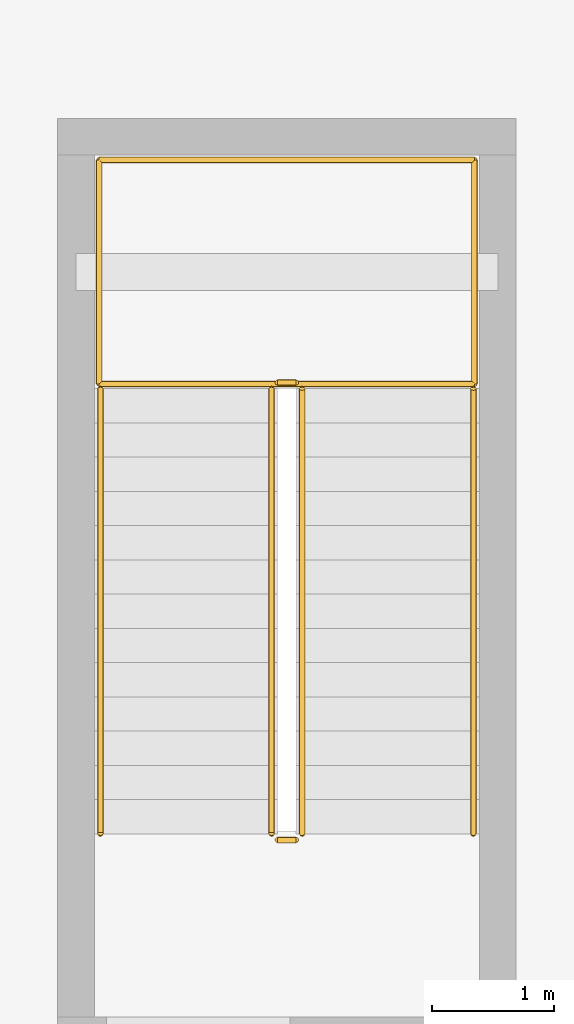
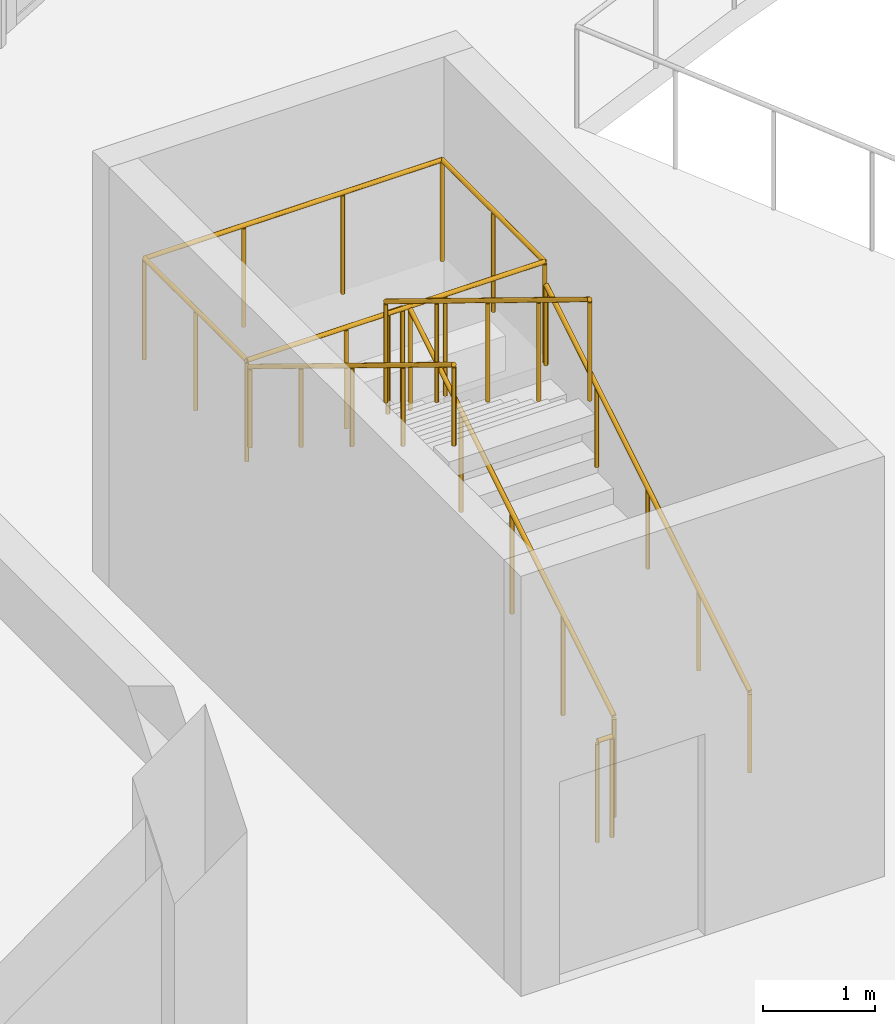
# One storey, part 62 of 68: 8 railings.
"""IFC4 building model written with IfcOpenShell, lengths in metres."""

from ifc_helpers import new_model, si_unit, direction, frame, origin, origin_2d, place, context, subcontext, project, spatial, circle, extrude, material, type_object, element, save


model = new_model("IFC4")

# Units and contexts
model_context = context("Model", 3, precision=1e-05, world=origin(), true_north=direction((0.0, 1.0)))
body_context = subcontext(model_context, "Body", "Model", "MODEL_VIEW")
ifc_project = project(units=[si_unit("LENGTHUNIT", "METRE"), si_unit("AREAUNIT", "SQUARE_METRE"), si_unit("VOLUMEUNIT", "CUBIC_METRE"), si_unit("PLANEANGLEUNIT", "RADIAN"), si_unit("MASSUNIT", "GRAM", prefix="KILO")], contexts=[model_context])

# Site, building, storey
site_placement = place(None, origin())
site = spatial("IfcSite", under=ifc_project, at=site_placement, CompositionType="ELEMENT")
building_placement = place(site_placement, origin())
building = spatial("IfcBuilding", under=site, at=building_placement, Name="Miralva Faculty of Natural Sciences", CompositionType="ELEMENT")
storey_placement = place(building_placement, frame((0.0, 0.0, 5.39990234375)))
storey = spatial("IfcBuildingStorey", under=building, at=storey_placement, Name="L01", CompositionType="ELEMENT", Elevation=5.39990234375)

# Railings
ifc_material = material(Name="Steel S355", Category="steel")
railing_type_1 = type_object("IfcRailingType", Name="RL-GR01", PredefinedType="GUARDRAIL", material=ifc_material)
railing_1_placement = place(storey_placement, frame((62.10009765625, 20.300048828125, 0.171630859375)))
element("IfcRailing", 1, at=railing_1_placement, inside=storey, type_object=railing_type_1, Name="Stair Core C6 safety guard L01-1", PredefinedType="GUARDRAIL", context=body_context, shape_type="SweptSolid", body=[
    extrude(circle(Radius=0.02392578125, at=origin_2d()), frame((0.0, 0.0, 1.09619140625), z_axis=(0.0, 0.852850264322, 0.5221555579), x_axis=(-1.0, 0.0, 0.0)), (0.0, 0.0, 1.0), 4.267822265625),
    extrude(circle(Radius=0.02099609375, at=origin_2d()), origin(), (0.0, 0.0, 1.0), 1.072021484375),
    extrude(circle(Radius=0.02099609375, at=origin_2d()), frame((0.0, 0.909912109375, 0.55712890625)), (0.0, 0.0, 1.0), 1.072021484375),
    extrude(circle(Radius=0.02099609375, at=origin_2d()), frame((0.0, 1.81982421875, 1.1142578125)), (0.0, 0.0, 1.0), 1.072021484375),
    extrude(circle(Radius=0.02099609375, at=origin_2d()), frame((0.0, 2.72998046875, 1.67138671875)), (0.0, 0.0, 1.0), 1.072021484375),
    extrude(circle(Radius=0.02099609375, at=origin_2d()), frame((0.0, 3.639892578125, 2.228515625)), (0.0, 0.0, 1.0), 1.072021484375),
])
railing_2_placement = place(storey_placement, frame((62.050048828125, 23.989990234375, 2.400146484375)))
element("IfcRailing", 2, at=railing_2_placement, inside=storey, type_object=railing_type_1, Name="Stair Core C6 safety guard L01-2", PredefinedType="GUARDRAIL", context=body_context, shape_type="SweptSolid", body=[
    extrude(circle(Radius=0.02392578125, at=origin_2d()), frame((0.0, 0.0, 1.09619140625), z_axis=(-1.0, 0.0, 0.0), x_axis=(0.0, -1.0, 0.0)), (0.0, 0.0, 1.0), 0.150146484375),
    extrude(circle(Radius=0.02099609375, at=origin_2d()), origin(), (0.0, 0.0, 1.0), 1.072021484375),
    extrude(circle(Radius=0.02099609375, at=origin_2d()), frame((-0.150146484375, 0.0, 0.0)), (0.0, 0.0, 1.0), 1.072021484375),
])
railing_3_placement = place(storey_placement, frame((61.85009765625, 23.93994140625, 2.571533203125)))
element("IfcRailing", 3, at=railing_3_placement, inside=storey, type_object=railing_type_1, Name="Stair Core C6 safety guard L01-3", PredefinedType="GUARDRAIL", context=body_context, shape_type="SweptSolid", body=[
    extrude(circle(Radius=0.02392578125, at=origin_2d()), frame((0.0, 0.0, 1.09619140625), z_axis=(0.0, -0.852850264322, 0.5221555579), x_axis=(1.0, 0.0, 0.0)), (0.0, 0.0, 1.0), 4.267822265625),
    extrude(circle(Radius=0.02099609375, at=origin_2d()), origin(), (0.0, 0.0, 1.0), 1.072021484375),
    extrude(circle(Radius=0.02099609375, at=origin_2d()), frame((0.0, -0.909912109375, 0.55712890625)), (0.0, 0.0, 1.0), 1.072021484375),
    extrude(circle(Radius=0.02099609375, at=origin_2d()), frame((0.0, -1.81982421875, 1.1142578125)), (0.0, 0.0, 1.0), 1.072021484375),
    extrude(circle(Radius=0.02099609375, at=origin_2d()), frame((0.0, -2.72998046875, 1.67138671875)), (0.0, 0.0, 1.0), 1.072021484375),
    extrude(circle(Radius=0.02099609375, at=origin_2d()), frame((0.0, -3.639892578125, 2.228515625)), (0.0, 0.0, 1.0), 1.072021484375),
])
railing_4_placement = place(storey_placement, frame((62.050048828125, 20.25, 0.0)))
element("IfcRailing", 4, at=railing_4_placement, inside=storey, type_object=railing_type_1, Name="Stair Core C6 safety guard L01-4", PredefinedType="GUARDRAIL", context=body_context, shape_type="SweptSolid", body=[
    extrude(circle(Radius=0.02392578125, at=origin_2d()), frame((0.0, 0.0, 1.09619140625), z_axis=(-1.0, 0.0, 0.0), x_axis=(0.0, -1.0, 0.0)), (0.0, 0.0, 1.0), 0.150146484375),
    extrude(circle(Radius=0.02099609375, at=origin_2d()), origin(), (0.0, 0.0, 1.0), 1.072021484375),
    extrude(circle(Radius=0.02099609375, at=origin_2d()), frame((-0.150146484375, 0.0, 0.0)), (0.0, 0.0, 1.0), 1.072021484375),
])
railing_5_placement = place(storey_placement, frame((60.43994140625, 23.97998046875, 2.400146484375)))
element("IfcRailing", 5, at=railing_5_placement, inside=storey, type_object=railing_type_1, Name="Stair Core C6 half-landing guard L01-1A", PredefinedType="GUARDRAIL", context=body_context, shape_type="SweptSolid", body=[
    extrude(circle(Radius=0.02392578125, at=origin_2d()), frame((0.0, 0.0, 1.09619140625), z_axis=(0.0, 1.0, 0.0), x_axis=(-1.0, 0.0, 0.0)), (0.0, 0.0, 1.0), 1.830078125),
    extrude(circle(Radius=0.02392578125, at=origin_2d()), frame((0.0, 1.830078125, 1.09619140625), z_axis=(1.0, 0.0, 0.0), x_axis=(0.0, 1.0, 0.0)), (0.0, 0.0, 1.0), 3.070068359375),
    extrude(circle(Radius=0.02099609375, at=origin_2d()), origin(), (0.0, 0.0, 1.0), 1.072021484375),
    extrude(circle(Radius=0.02099609375, at=origin_2d()), frame((0.0, 0.9150390625, 0.0)), (0.0, 0.0, 1.0), 1.072021484375),
    extrude(circle(Radius=0.02099609375, at=origin_2d()), frame((0.0, 1.830078125, 0.0)), (0.0, 0.0, 1.0), 1.072021484375),
    extrude(circle(Radius=0.02099609375, at=origin_2d()), frame((1.0234375, 1.830078125, 0.0)), (0.0, 0.0, 1.0), 1.072021484375),
    extrude(circle(Radius=0.02099609375, at=origin_2d()), frame((2.046630859375, 1.830078125, 0.0)), (0.0, 0.0, 1.0), 1.072021484375),
    extrude(circle(Radius=0.02099609375, at=origin_2d()), frame((3.070068359375, 1.830078125, 0.0)), (0.0, 0.0, 1.0), 1.072021484375),
])
railing_6_placement = place(storey_placement, frame((63.510009765625, 25.81005859375, 2.400146484375)))
element("IfcRailing", 6, at=railing_6_placement, inside=storey, type_object=railing_type_1, Name="Stair Core C6 half-landing guard L01-1B", PredefinedType="GUARDRAIL", context=body_context, shape_type="SweptSolid", body=[
    extrude(circle(Radius=0.02392578125, at=origin_2d()), frame((0.0, 0.0, 1.09619140625), z_axis=(0.0, -1.0, 0.0), x_axis=(1.0, 0.0, 0.0)), (0.0, 0.0, 1.0), 1.830078125),
    extrude(circle(Radius=0.02392578125, at=origin_2d()), frame((0.0, -1.830078125, 1.09619140625), z_axis=(-1.0, 0.0, 0.0), x_axis=(0.0, -1.0, 0.0)), (0.0, 0.0, 1.0), 3.070068359375),
    extrude(circle(Radius=0.02099609375, at=origin_2d()), origin(), (0.0, 0.0, 1.0), 1.072021484375),
    extrude(circle(Radius=0.02099609375, at=origin_2d()), frame((0.0, -0.9150390625, 0.0)), (0.0, 0.0, 1.0), 1.072021484375),
    extrude(circle(Radius=0.02099609375, at=origin_2d()), frame((0.0, -1.830078125, 0.0)), (0.0, 0.0, 1.0), 1.072021484375),
    extrude(circle(Radius=0.02099609375, at=origin_2d()), frame((-1.0234375, -1.830078125, 0.0)), (0.0, 0.0, 1.0), 1.072021484375),
    extrude(circle(Radius=0.02099609375, at=origin_2d()), frame((-2.046630859375, -1.830078125, 0.0)), (0.0, 0.0, 1.0), 1.072021484375),
    extrude(circle(Radius=0.02099609375, at=origin_2d()), frame((-3.070068359375, -1.830078125, 0.0)), (0.0, 0.0, 1.0), 1.072021484375),
])
railing_type_2 = type_object("IfcRailingType", Name="RL-HR01", PredefinedType="HANDRAIL", material=ifc_material)
railing_7_placement = place(storey_placement, frame((63.5, 20.300048828125, 0.171630859375)))
element("IfcRailing", 7, at=railing_7_placement, inside=storey, type_object=railing_type_2, Name="Stair Core C6 handrail L01-1", PredefinedType="HANDRAIL", context=body_context, shape_type="SweptSolid", body=[
    extrude(circle(Radius=0.02392578125, at=origin_2d()), frame((0.0, 0.0, 0.8759765625), z_axis=(0.0, 0.852850264322, 0.5221555579), x_axis=(-1.0, 0.0, 0.0)), (0.0, 0.0, 1.0), 4.267822265625),
    extrude(circle(Radius=0.02099609375, at=origin_2d()), origin(), (0.0, 0.0, 1.0), 0.851806640625),
    extrude(circle(Radius=0.02099609375, at=origin_2d()), frame((0.0, 0.909912109375, 0.55712890625)), (0.0, 0.0, 1.0), 0.851806640625),
    extrude(circle(Radius=0.02099609375, at=origin_2d()), frame((0.0, 1.81982421875, 1.1142578125)), (0.0, 0.0, 1.0), 0.851806640625),
    extrude(circle(Radius=0.02099609375, at=origin_2d()), frame((0.0, 2.72998046875, 1.67138671875)), (0.0, 0.0, 1.0), 0.851806640625),
    extrude(circle(Radius=0.02099609375, at=origin_2d()), frame((0.0, 3.639892578125, 2.228515625)), (0.0, 0.0, 1.0), 0.851806640625),
])
railing_8_placement = place(storey_placement, frame((60.449951171875, 23.93994140625, 2.571533203125)))
element("IfcRailing", 8, at=railing_8_placement, inside=storey, type_object=railing_type_2, Name="Stair Core C6 handrail L01-2", PredefinedType="HANDRAIL", context=body_context, shape_type="SweptSolid", body=[
    extrude(circle(Radius=0.02392578125, at=origin_2d()), frame((0.0, 0.0, 0.8759765625), z_axis=(0.0, -0.852850264322, 0.5221555579), x_axis=(1.0, 0.0, 0.0)), (0.0, 0.0, 1.0), 4.267822265625),
    extrude(circle(Radius=0.02099609375, at=origin_2d()), origin(), (0.0, 0.0, 1.0), 0.851806640625),
    extrude(circle(Radius=0.02099609375, at=origin_2d()), frame((0.0, -0.909912109375, 0.55712890625)), (0.0, 0.0, 1.0), 0.851806640625),
    extrude(circle(Radius=0.02099609375, at=origin_2d()), frame((0.0, -1.81982421875, 1.1142578125)), (0.0, 0.0, 1.0), 0.851806640625),
    extrude(circle(Radius=0.02099609375, at=origin_2d()), frame((0.0, -2.72998046875, 1.67138671875)), (0.0, 0.0, 1.0), 0.851806640625),
    extrude(circle(Radius=0.02099609375, at=origin_2d()), frame((0.0, -3.639892578125, 2.228515625)), (0.0, 0.0, 1.0), 0.851806640625),
])

save(model, "model.ifc")
